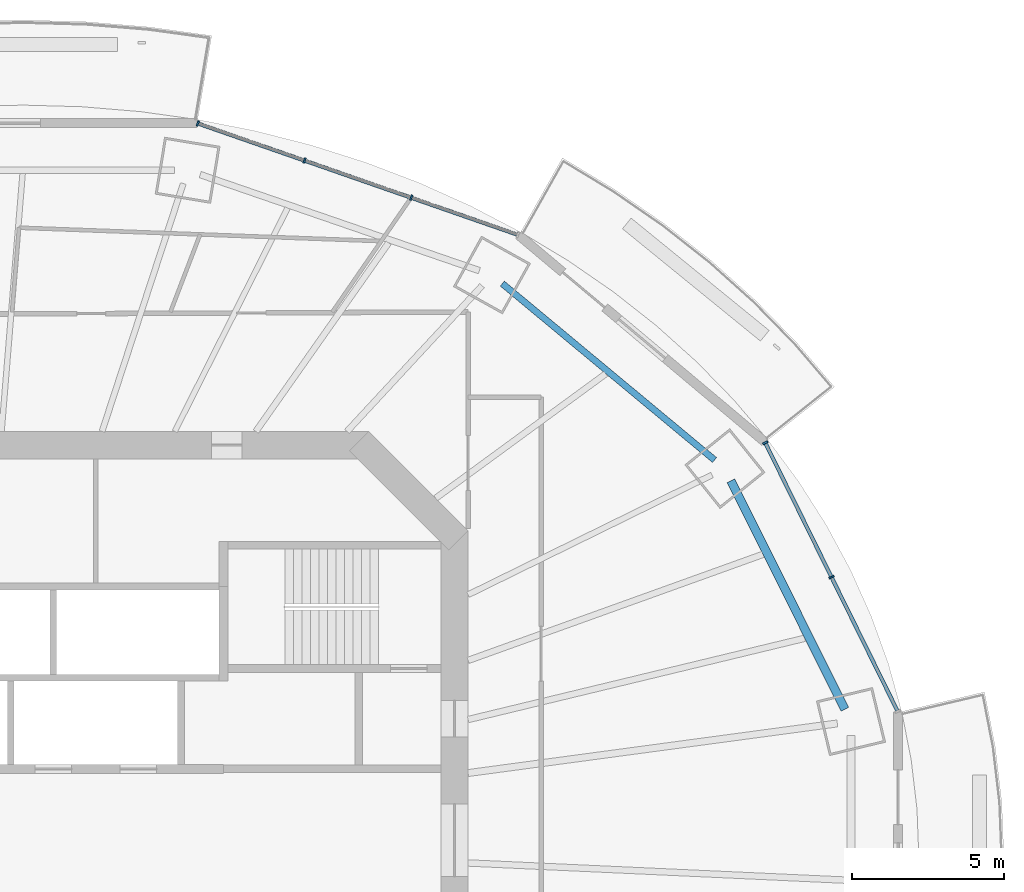
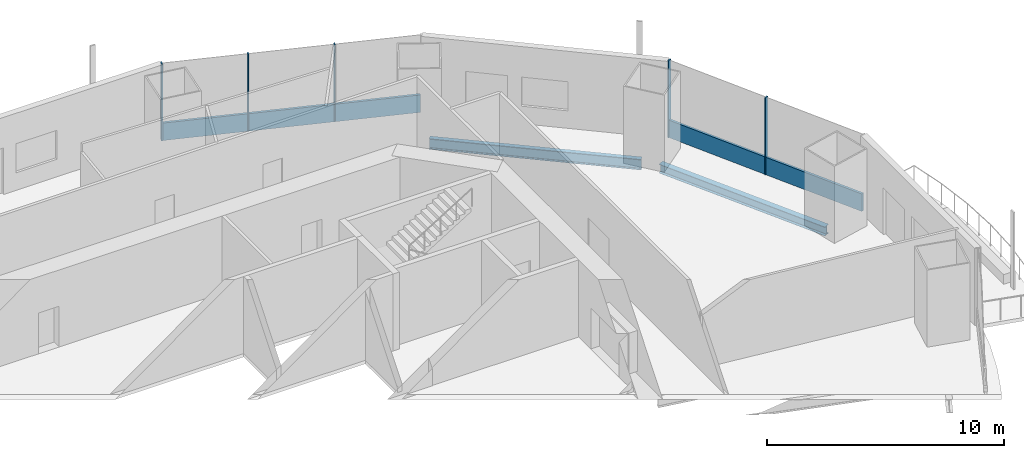
# One storey, part 8 of 18: 7 members, 2 beams, 2 elements without a shape of their own.
"""IFC4 building model written with IfcOpenShell, lengths in metres."""

from ifc_helpers import new_model, si_unit, direction, frame, origin, origin_2d, place, context, subcontext, project, spatial, rectangle, i_section, extrude, material, material_profile, profile_set, type_object, element, aggregate, save


model = new_model("IFC4")

# Units and contexts
model_context = context("Model", 3, precision=1e-05, world=origin(), true_north=direction((0.0, 1.0)))
body_context = subcontext(model_context, "Body", "Model", "MODEL_VIEW")
ifc_project = project(units=[si_unit("LENGTHUNIT", "METRE"), si_unit("AREAUNIT", "SQUARE_METRE"), si_unit("VOLUMEUNIT", "CUBIC_METRE"), si_unit("PLANEANGLEUNIT", "RADIAN"), si_unit("MASSUNIT", "GRAM", prefix="KILO")], contexts=[model_context])

# Site, building, storey
site_placement = place(None, origin())
site = spatial("IfcSite", under=ifc_project, at=site_placement, CompositionType="ELEMENT")
building_placement = place(site_placement, origin())
building = spatial("IfcBuilding", under=site, at=building_placement, Name="Marenthal Gate Tower", CompositionType="ELEMENT")
storey_placement = place(building_placement, frame((0.0, 0.0, 260.64990234375)))
storey = spatial("IfcBuildingStorey", under=building, at=storey_placement, Name="L58", CompositionType="ELEMENT", Elevation=260.64990234375)

# Curtain wall, members
ifc_material_1 = material(Name="Aluminium and glass", Category="aluminium")
curtain_wall_type = type_object("IfcCurtainWallType", Name="Curtain wall typical mid", PredefinedType="NOTDEFINED", material=ifc_material_1)
curtain_wall_1_placement = place(storey_placement, origin())
curtain_wall_1 = element("IfcCurtainWall", 1, at=curtain_wall_1_placement, inside=storey, type_object=curtain_wall_type, Name="Curtain wall L58 bay 1", PredefinedType="NOTDEFINED")
ifc_material_2 = material(Name="Aluminium", Category="aluminium")
ifc_material_profile_1 = material_profile(ifc_material_2, rectangle(XDim=0.179931640625, YDim=0.06005859375, at=origin_2d()), Name="60x180 aluminium mullion")
ifc_profile_set_1 = profile_set([ifc_material_profile_1], Name="Aluminium")
member_type_1 = type_object("IfcMemberType", Name="Mullion 60x180 typical mid", PredefinedType="MULLION", material=ifc_profile_set_1)
member_1_placement = place(storey_placement, frame((28.40478515625, 8.65869140625, 0.0), z_axis=(0.0, 0.0, 1.0), x_axis=(-0.896920632002, -0.442191564697, 0.0)))
member_1 = element("IfcMember", 2, at=member_1_placement, type_object=member_type_1, Name="Mullion L58 bay 1.2", PredefinedType="MULLION", context=body_context, shape_type="SweptSolid", body=[
    extrude(rectangle(XDim=0.179931640625, YDim=0.06005859375, at=origin_2d()), origin(), (0.0, 0.0, 1.0), 3.97021484375),
])
member_2_placement = place(storey_placement, frame((26.22607421875, 13.077880859375, 0.0), z_axis=(0.0, 0.0, 1.0), x_axis=(-0.896920632002, -0.442191564697, 0.0)))
member_2 = element("IfcMember", 3, at=member_2_placement, type_object=member_type_1, Name="Mullion L58 bay 1.3", PredefinedType="MULLION", context=body_context, shape_type="SweptSolid", body=[
    extrude(rectangle(XDim=0.179931640625, YDim=0.06005859375, at=origin_2d()), origin(), (0.0, 0.0, 1.0), 3.97021484375),
])

curtain_wall_2_placement = place(storey_placement, origin())
curtain_wall_2 = element("IfcCurtainWall", 4, at=curtain_wall_2_placement, inside=storey, type_object=curtain_wall_type, Name="Curtain wall L58 bay 3", PredefinedType="NOTDEFINED")
member_3_placement = place(storey_placement, frame((14.57470703125, 21.141845703125, 0.0), z_axis=(0.0, 0.0, 1.0), x_axis=(-0.328669787971, -0.944444900709, 0.0)))
member_3 = element("IfcMember", 5, at=member_3_placement, type_object=member_type_1, Name="Mullion L58 bay 3.2", PredefinedType="MULLION", context=body_context, shape_type="SweptSolid", body=[
    extrude(rectangle(XDim=0.179931640625, YDim=0.06005859375, at=origin_2d()), origin(), (0.0, 0.0, 1.0), 3.97021484375),
])
member_4_placement = place(storey_placement, frame((11.0654296875, 22.363037109375, 0.0), z_axis=(0.0, 0.0, 1.0), x_axis=(-0.328669787971, -0.944444900709, 0.0)))
member_4 = element("IfcMember", 6, at=member_4_placement, type_object=member_type_1, Name="Mullion L58 bay 3.3", PredefinedType="MULLION", context=body_context, shape_type="SweptSolid", body=[
    extrude(rectangle(XDim=0.179931640625, YDim=0.06005859375, at=origin_2d()), origin(), (0.0, 0.0, 1.0), 3.97021484375),
])
member_5_placement = place(storey_placement, frame((7.556396484375, 23.584228515625, 0.0), z_axis=(0.0, 0.0, 1.0), x_axis=(-0.328669787971, -0.944444900709, 0.0)))
member_5 = element("IfcMember", 7, at=member_5_placement, type_object=member_type_1, Name="Mullion L58 bay 3.4", PredefinedType="MULLION", context=body_context, shape_type="SweptSolid", body=[
    extrude(rectangle(XDim=0.179931640625, YDim=0.06005859375, at=origin_2d()), origin(), (0.0, 0.0, 1.0), 3.97021484375),
])

# Member
ifc_material_3 = material(Name="Aluminium", Category="aluminium")
ifc_material_profile_2 = material_profile(ifc_material_3, rectangle(XDim=0.1201171875, YDim=0.89990234375, at=origin_2d()), Name="120x900 aluminium transom")
ifc_profile_set_2 = profile_set([ifc_material_profile_2], Name="Aluminium")
member_type_2 = type_object("IfcMemberType", Name="Transom 120x900 typical mid", PredefinedType="USERDEFINED", material=ifc_profile_set_2)
member_6_placement = place(storey_placement, frame((30.5703125, 4.266357421875, 0.4501953125), z_axis=(-0.442201293044, 0.896915835756, 0.0), x_axis=(-0.896915835756, -0.442201293044, 0.0)))
member_6 = element("IfcMember", 8, at=member_6_placement, type_object=member_type_2, Name="Transom L58 bay 1", ObjectType="TRANSOM", PredefinedType="USERDEFINED", context=body_context, shape_type="SweptSolid", body=[
    extrude(rectangle(XDim=0.1201171875, YDim=0.89990234375, at=origin_2d()), origin(), (0.0, 0.0, 1.0), 9.794189453125),
])

aggregate(curtain_wall_1, [member_1, member_2, member_6])

member_7_placement = place(storey_placement, frame((18.055419921875, 19.930419921875, 0.4501953125), z_axis=(-0.944445984358, 0.328666674047, 0.0), x_axis=(-0.328666674047, -0.944445984358, 0.0)))
member_7 = element("IfcMember", 9, at=member_7_placement, type_object=member_type_2, Name="Transom L58 bay 3", ObjectType="TRANSOM", PredefinedType="USERDEFINED", context=body_context, shape_type="SweptSolid", body=[
    extrude(rectangle(XDim=0.1201171875, YDim=0.89990234375, at=origin_2d()), origin(), (0.0, 0.0, 1.0), 11.086669921875),
])

aggregate(curtain_wall_2, [member_3, member_4, member_5, member_7])

# Beams
ifc_material_4 = material(Name="Steel S355", Category="steel")
ifc_material_profile_3 = material_profile(ifc_material_4, i_section(OverallWidth=0.279052734375, OverallDepth=0.4619140625, WebThickness=0.0107421875, FlangeThickness=0.017333984375, FilletRadius=0.010009765625, at=origin_2d()), Name="W460X113")
ifc_profile_set_3 = profile_set([ifc_material_profile_3], Name="Steel S355")
beam_type_1 = type_object("IfcBeamType", Name="W460X113 beam", PredefinedType="BEAM", material=ifc_profile_set_3)
beam_1_placement = place(storey_placement, frame((28.8466796875, 4.306396484375, -0.410888671875), z_axis=(-0.446062695792, 0.895001715877, 0.0), x_axis=(-0.895001715877, -0.446062695792, 0.0)))
element("IfcBeam", 10, at=beam_1_placement, inside=storey, type_object=beam_type_1, Name="BM-L58-41", PredefinedType="BEAM", context=body_context, shape_type="SweptSolid", body=[
    extrude(i_section(OverallWidth=0.279052734375, OverallDepth=0.4619140625, WebThickness=0.0107421875, FlangeThickness=0.017333984375, FilletRadius=0.010009765625, at=origin_2d()), origin(), (0.0, 0.0, 1.0), 8.403076171875),
])
ifc_material_5 = material(Name="Steel S355", Category="steel")
ifc_material_profile_4 = material_profile(ifc_material_5, i_section(OverallWidth=0.2119140625, OverallDepth=0.5439453125, WebThickness=0.01318359375, FlangeThickness=0.021240234375, FilletRadius=0.0126953125, at=origin_2d()), Name="W530X123")
ifc_profile_set_4 = profile_set([ifc_material_profile_4], Name="Steel S355")
beam_type_2 = type_object("IfcBeamType", Name="W530X123 beam", PredefinedType="BEAM", material=ifc_profile_set_4)
beam_2_placement = place(storey_placement, frame((24.5576171875, 12.5107421875, -0.451904296875), z_axis=(-0.769071224025, 0.639163087464, 0.0), x_axis=(-0.639163087464, -0.769071224025, 0.0)))
element("IfcBeam", 11, at=beam_2_placement, inside=storey, type_object=beam_type_2, Name="BM-L58-42", PredefinedType="BEAM", context=body_context, shape_type="SweptSolid", body=[
    extrude(i_section(OverallWidth=0.2119140625, OverallDepth=0.5439453125, WebThickness=0.01318359375, FlangeThickness=0.021240234375, FilletRadius=0.0126953125, at=origin_2d()), origin(), (0.0, 0.0, 1.0), 9.0810546875),
])

save(model, "model.ifc")
